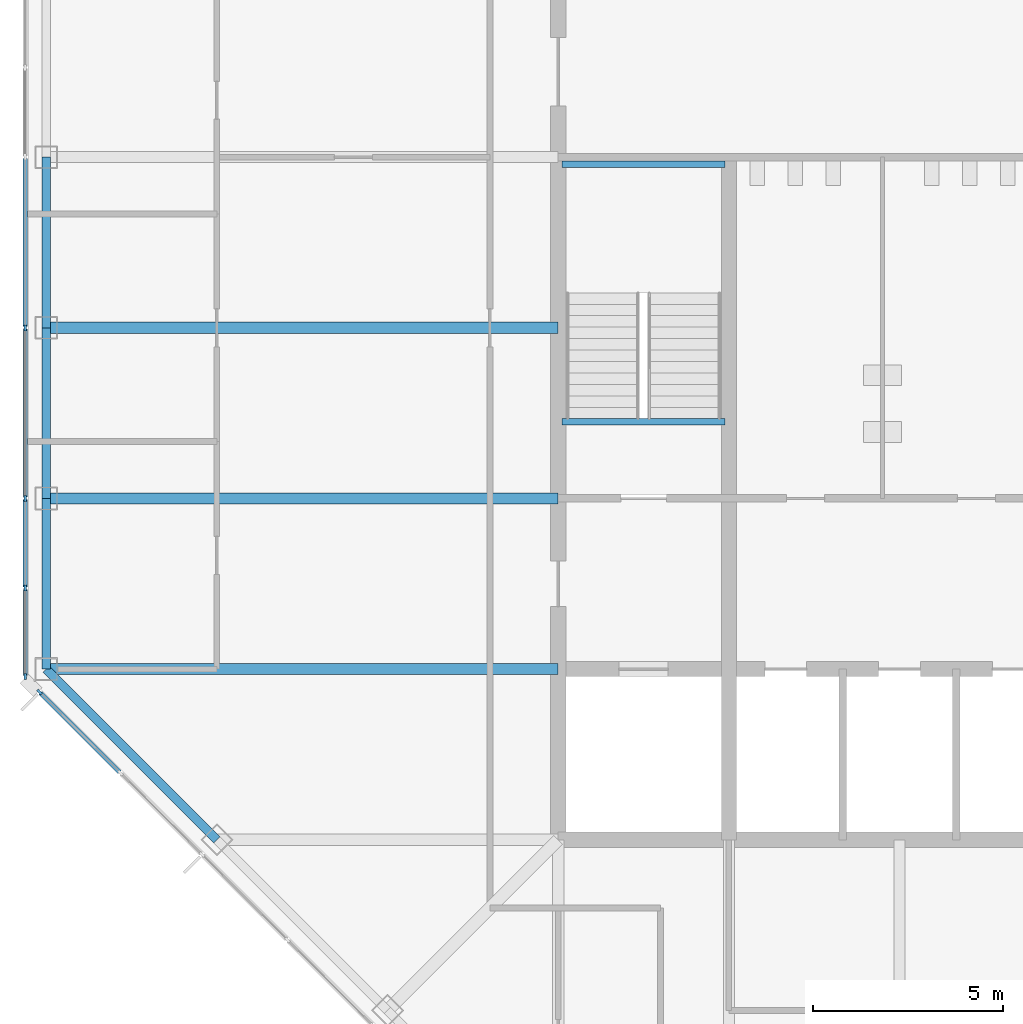
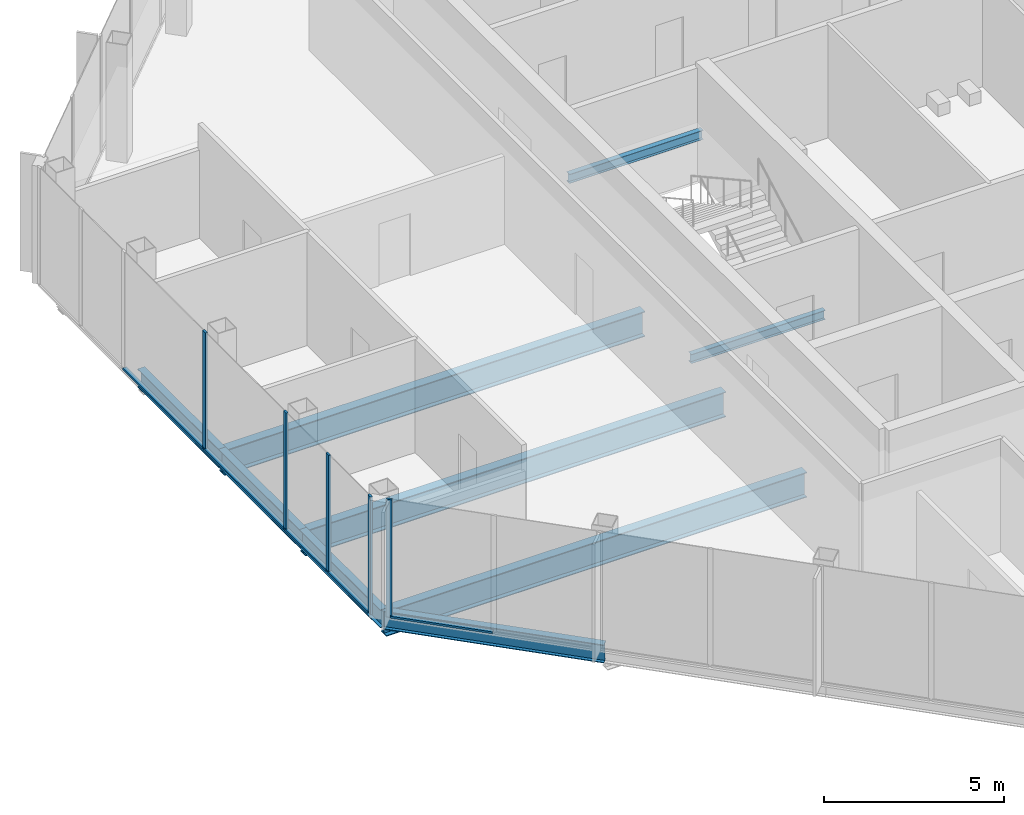
# One storey, part 3 of 14: 10 members, 9 beams, 2 elements without a shape of their own.
"""IFC4 building model written with IfcOpenShell, lengths in metres."""

from ifc_helpers import new_model, si_unit, direction, frame, origin, origin_2d, place, context, subcontext, project, spatial, rectangle, i_section, extrude, material, material_profile, profile_set, type_object, element, aggregate, save


model = new_model("IFC4")

# Units and contexts
model_context = context("Model", 3, precision=1e-05, world=origin(), true_north=direction((0.0, 1.0)))
body_context = subcontext(model_context, "Body", "Model", "MODEL_VIEW")
ifc_project = project(units=[si_unit("LENGTHUNIT", "METRE"), si_unit("AREAUNIT", "SQUARE_METRE"), si_unit("VOLUMEUNIT", "CUBIC_METRE"), si_unit("PLANEANGLEUNIT", "RADIAN"), si_unit("MASSUNIT", "GRAM", prefix="KILO")], contexts=[model_context])

# Site, building, storey
site_placement = place(None, origin())
site = spatial("IfcSite", under=ifc_project, at=site_placement, CompositionType="ELEMENT")
building_placement = place(site_placement, origin())
building = spatial("IfcBuilding", under=site, at=building_placement, Name="Corais Broadcast Tower", CompositionType="ELEMENT")
storey_placement = place(building_placement, frame((0.0, 0.0, 290.60009765625)))
storey = spatial("IfcBuildingStorey", under=building, at=storey_placement, Name="L68", CompositionType="ELEMENT", Elevation=290.60009765625)

# Beams
ifc_material_1 = material(Name="Steel ASTM A572 Grade 50", Category="steel")
ifc_material_profile_1 = material_profile(ifc_material_1, i_section(OverallWidth=0.2939453125, OverallDepth=0.85107421875, WebThickness=0.01611328125, FlangeThickness=0.02685546875, at=origin_2d()), Name="W840x226")
ifc_profile_set_1 = profile_set([ifc_material_profile_1], Name="Steel ASTM A572 Grade 50")
beam_type_1 = type_object("IfcBeamType", Name="Floor beam W840x226", PredefinedType="BEAM", material=ifc_profile_set_1)
for number, where, z_axis, x_axis, name in (
    (1, (0.0, 18.0, -0.585693359375), (1.0, 0.0, 0.0), (0.0, 1.0, 0.0), "B1 E/3 to E/6"),
    (2, (0.0, 22.5, -0.585693359375), (1.0, 0.0, 0.0), (0.0, 1.0, 0.0), "B1 F/3 to F/6"),
    (3, (0.0, 27.0, -0.585693359375), (1.0, 0.0, 0.0), (0.0, 1.0, 0.0), "B1 G/3 to G/6"),
):
    element("IfcBeam", number, at=place(storey_placement, frame(where, z_axis=z_axis, x_axis=x_axis)), inside=storey, type_object=beam_type_1, Name=name, PredefinedType="BEAM", context=body_context, shape_type="SweptSolid", body=[
        extrude(i_section(OverallWidth=0.2939453125, OverallDepth=0.85107421875, WebThickness=0.01611328125, FlangeThickness=0.02685546875, at=origin_2d()), origin(), (0.0, 0.0, 1.0), 13.5),
    ])
ifc_material_2 = material(Name="Steel ASTM A572 Grade 50", Category="steel")
ifc_material_profile_2 = material_profile(ifc_material_2, i_section(OverallWidth=0.1650390625, OverallDepth=0.31005859375, WebThickness=0.005859375, FlangeThickness=0.009765625, at=origin_2d()), Name="W310x38.7")
ifc_profile_set_2 = profile_set([ifc_material_profile_2], Name="Steel ASTM A572 Grade 50")
beam_type_2 = type_object("IfcBeamType", Name="Landing trimmer W310x38.7", PredefinedType="BEAM", material=ifc_profile_set_2)
for number, where, z_axis, x_axis, name in (
    (4, (13.60009765625, 24.52490234375, -0.35498046875), (1.0, 0.0, 0.0), (0.0, 1.0, 0.0), "LT1 stair A landing trimmer L68"),
    (5, (13.60009765625, 31.31005859375, 1.64501953125), (1.0, 0.0, 0.0), (0.0, 1.0, 0.0), "LT1 stair A half landing trimmer L68"),
):
    element("IfcBeam", number, at=place(storey_placement, frame(where, z_axis=z_axis, x_axis=x_axis)), inside=storey, type_object=beam_type_2, Name=name, PredefinedType="BEAM", context=body_context, shape_type="SweptSolid", body=[
        extrude(i_section(OverallWidth=0.1650390625, OverallDepth=0.31005859375, WebThickness=0.005859375, FlangeThickness=0.009765625, at=origin_2d()), origin(), (0.0, 0.0, 1.0), 4.2998046875),
    ])

# Curtain wall, member
ifc_material_3 = material(Name="Aluminium and glass", Category="aluminium")
curtain_wall_type = type_object("IfcCurtainWallType", Name="Unitised fritted curtain wall CW3", PredefinedType="NOTDEFINED", material=ifc_material_3)
curtain_wall_1_placement = place(storey_placement, origin())
curtain_wall_1 = element("IfcCurtainWall", 6, at=curtain_wall_1_placement, inside=storey, type_object=curtain_wall_type, Name="CW3 curtain wall L68 1", PredefinedType="NOTDEFINED")
ifc_material_4 = material(Name="Aluminium 6063-T6", Category="aluminium")
ifc_material_profile_3 = material_profile(ifc_material_4, rectangle(XDim=0.06494140625, YDim=0.159912109375, at=origin_2d()), Name="Mullion CW3 65x160")
ifc_profile_set_3 = profile_set([ifc_material_profile_3], Name="Aluminium 6063-T6")
member_type_1 = type_object("IfcMemberType", Name="Mullion CW3 65x160", PredefinedType="MULLION", material=ifc_profile_set_3)
member_1_placement = place(storey_placement, frame((-0.17333984375, 17.3955078125, 0.0), z_axis=(0.0, 0.0, 1.0), x_axis=(-0.707106781187, -0.707106781187, 0.0)))
member_1 = element("IfcMember", 7, at=member_1_placement, type_object=member_type_1, Name="CW3 mullion 9", PredefinedType="MULLION", context=body_context, shape_type="SweptSolid", body=[
    extrude(rectangle(XDim=0.06494140625, YDim=0.159912109375, at=origin_2d()), origin(), (0.0, 0.0, 1.0), 4.0),
])

# Curtain wall, members
curtain_wall_2_placement = place(storey_placement, origin())
curtain_wall_2 = element("IfcCurtainWall", 8, at=curtain_wall_2_placement, inside=storey, type_object=curtain_wall_type, Name="CW3 curtain wall L68 2", PredefinedType="NOTDEFINED")
member_2_placement = place(storey_placement, frame((-0.550048828125, 17.8046875, 0.0), z_axis=(0.0, 0.0, 1.0), x_axis=(-1.0, 0.0, 0.0)))
member_2 = element("IfcMember", 9, at=member_2_placement, type_object=member_type_1, Name="CW3 mullion 1", PredefinedType="MULLION", context=body_context, shape_type="SweptSolid", body=[
    extrude(rectangle(XDim=0.06494140625, YDim=0.159912109375, at=origin_2d()), origin(), (0.0, 0.0, 1.0), 4.0),
])
member_3_placement = place(storey_placement, frame((-0.550048828125, 20.135986328125, 0.0), z_axis=(0.0, 0.0, 1.0), x_axis=(-1.0, 0.0, 0.0)))
member_3 = element("IfcMember", 10, at=member_3_placement, type_object=member_type_1, Name="CW3 mullion 2", PredefinedType="MULLION", context=body_context, shape_type="SweptSolid", body=[
    extrude(rectangle(XDim=0.06494140625, YDim=0.159912109375, at=origin_2d()), origin(), (0.0, 0.0, 1.0), 4.0),
])
member_4_placement = place(storey_placement, frame((-0.550048828125, 22.5, 0.0), z_axis=(0.0, 0.0, 1.0), x_axis=(-1.0, 0.0, 0.0)))
member_4 = element("IfcMember", 11, at=member_4_placement, type_object=member_type_1, Name="CW3 mullion 3", PredefinedType="MULLION", context=body_context, shape_type="SweptSolid", body=[
    extrude(rectangle(XDim=0.06494140625, YDim=0.159912109375, at=origin_2d()), origin(), (0.0, 0.0, 1.0), 4.0),
])
member_5_placement = place(storey_placement, frame((-0.550048828125, 27.0, 0.0), z_axis=(0.0, 0.0, 1.0), x_axis=(-1.0, 0.0, 0.0)))
member_5 = element("IfcMember", 12, at=member_5_placement, type_object=member_type_1, Name="CW3 mullion 4", PredefinedType="MULLION", context=body_context, shape_type="SweptSolid", body=[
    extrude(rectangle(XDim=0.06494140625, YDim=0.159912109375, at=origin_2d()), origin(), (0.0, 0.0, 1.0), 4.0),
])

# Beams
ifc_material_5 = material(Name="Steel ASTM A572 Grade 50", Category="steel")
ifc_material_profile_4 = material_profile(ifc_material_5, i_section(OverallWidth=0.22998046875, OverallDepth=0.616943359375, WebThickness=0.01318359375, FlangeThickness=0.022216796875, at=origin_2d()), Name="W610x140")
ifc_profile_set_4 = profile_set([ifc_material_profile_4], Name="Steel ASTM A572 Grade 50")
beam_type_3 = type_object("IfcBeamType", Name="Spandrel W610x140", PredefinedType="BEAM", material=ifc_profile_set_4)
beam_placement = place(storey_placement, frame((0.0, 18.0, -0.468505859375), z_axis=(0.707106781187, -0.707106781187, 0.0), x_axis=(0.707106781187, 0.707106781187, 0.0)))
element("IfcBeam", 13, at=beam_placement, inside=storey, type_object=beam_type_3, Name="SB3 E/3 to D/4", PredefinedType="BEAM", context=body_context, shape_type="SweptSolid", body=[
    extrude(i_section(OverallWidth=0.22998046875, OverallDepth=0.616943359375, WebThickness=0.01318359375, FlangeThickness=0.022216796875, at=origin_2d()), origin(), (0.0, 0.0, 1.0), 6.364013671875),
])
for number, where, z_axis, x_axis, name in (
    (14, (0.0, 22.5, -0.468505859375), (0.0, -1.0, 0.0), (1.0, 0.0, 0.0), "SB3 F/3 to E/3"),
    (15, (0.0, 27.0, -0.468505859375), (0.0, -1.0, 0.0), (1.0, 0.0, 0.0), "SB3 G/3 to F/3"),
    (16, (0.0, 31.5, -0.468505859375), (0.0, -1.0, 0.0), (1.0, 0.0, 0.0), "SB3 H/3 to G/3"),
):
    element("IfcBeam", number, at=place(storey_placement, frame(where, z_axis=z_axis, x_axis=x_axis)), inside=storey, type_object=beam_type_3, Name=name, PredefinedType="BEAM", context=body_context, shape_type="SweptSolid", body=[
        extrude(i_section(OverallWidth=0.22998046875, OverallDepth=0.616943359375, WebThickness=0.01318359375, FlangeThickness=0.022216796875, at=origin_2d()), origin(), (0.0, 0.0, 1.0), 4.5),
    ])

# Member
ifc_material_6 = material(Name="Aluminium 6063-T6", Category="aluminium")
ifc_material_profile_5 = material_profile(ifc_material_6, rectangle(XDim=0.1201171875, YDim=0.06494140625, at=origin_2d()), Name="Transom CW3 65x120")
ifc_profile_set_5 = profile_set([ifc_material_profile_5], Name="Aluminium 6063-T6")
member_type_2 = type_object("IfcMemberType", Name="Transom CW3 65x120", PredefinedType="USERDEFINED", material=ifc_profile_set_5)
member_6_placement = place(storey_placement, frame((1.934326171875, 15.287841796875, 0.032470703125), z_axis=(-0.707106781187, 0.707106781187, 0.0), x_axis=(-0.707106781187, -0.707106781187, 0.0)))
member_6 = element("IfcMember", 17, at=member_6_placement, type_object=member_type_2, Name="CW3 transom 8.1", ObjectType="TRANSOM", PredefinedType="USERDEFINED", context=body_context, shape_type="SweptSolid", body=[
    extrude(rectangle(XDim=0.1201171875, YDim=0.06494140625, at=origin_2d()), origin(), (0.0, 0.0, 1.0), 2.9482421875),
])

aggregate(curtain_wall_1, [member_1, member_6])

member_7_placement = place(storey_placement, frame((-0.550048828125, 17.837158203125, 0.032470703125), z_axis=(0.0, 1.0, 0.0), x_axis=(-1.0, 0.0, 0.0)))
member_7 = element("IfcMember", 18, at=member_7_placement, type_object=member_type_2, Name="CW3 transom 1.1", ObjectType="TRANSOM", PredefinedType="USERDEFINED", context=body_context, shape_type="SweptSolid", body=[
    extrude(rectangle(XDim=0.1201171875, YDim=0.06494140625, at=origin_2d()), origin(), (0.0, 0.0, 1.0), 2.266357421875),
])

member_8_placement = place(storey_placement, frame((-0.550048828125, 20.168701171875, 0.032470703125), z_axis=(0.0, 1.0, 0.0), x_axis=(-1.0, 0.0, 0.0)))
member_8 = element("IfcMember", 19, at=member_8_placement, type_object=member_type_2, Name="CW3 transom 2.1", ObjectType="TRANSOM", PredefinedType="USERDEFINED", context=body_context, shape_type="SweptSolid", body=[
    extrude(rectangle(XDim=0.1201171875, YDim=0.06494140625, at=origin_2d()), origin(), (0.0, 0.0, 1.0), 2.298828125),
])

member_9_placement = place(storey_placement, frame((-0.550048828125, 22.532470703125, 0.032470703125), z_axis=(0.0, 1.0, 0.0), x_axis=(-1.0, 0.0, 0.0)))
member_9 = element("IfcMember", 20, at=member_9_placement, type_object=member_type_2, Name="CW3 transom 3.1", ObjectType="TRANSOM", PredefinedType="USERDEFINED", context=body_context, shape_type="SweptSolid", body=[
    extrude(rectangle(XDim=0.1201171875, YDim=0.06494140625, at=origin_2d()), origin(), (0.0, 0.0, 1.0), 4.43505859375),
])

member_10_placement = place(storey_placement, frame((-0.550048828125, 27.032470703125, 0.032470703125), z_axis=(0.0, 1.0, 0.0), x_axis=(-1.0, 0.0, 0.0)))
member_10 = element("IfcMember", 21, at=member_10_placement, type_object=member_type_2, Name="CW3 transom 4.1", ObjectType="TRANSOM", PredefinedType="USERDEFINED", context=body_context, shape_type="SweptSolid", body=[
    extrude(rectangle(XDim=0.1201171875, YDim=0.06494140625, at=origin_2d()), origin(), (0.0, 0.0, 1.0), 4.43505859375),
])

aggregate(curtain_wall_2, [member_2, member_3, member_4, member_5, member_7, member_8, member_9, member_10])

save(model, "model.ifc")
